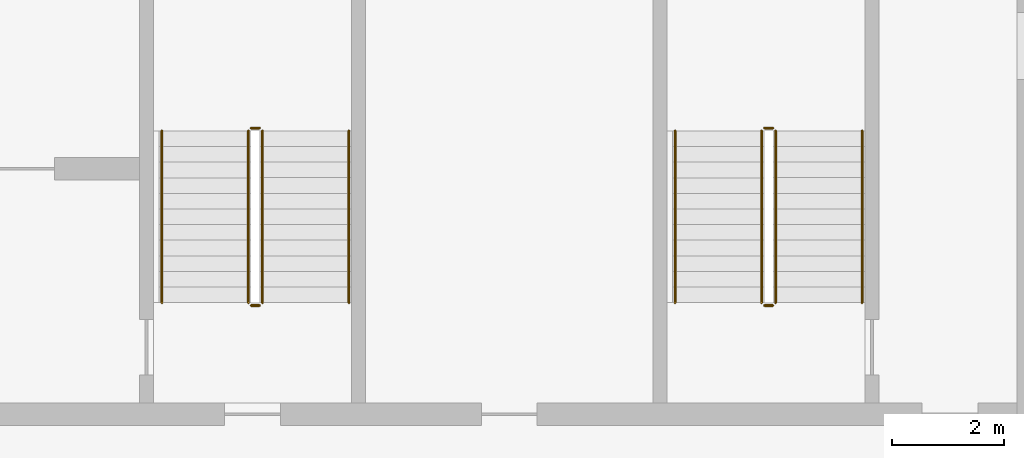
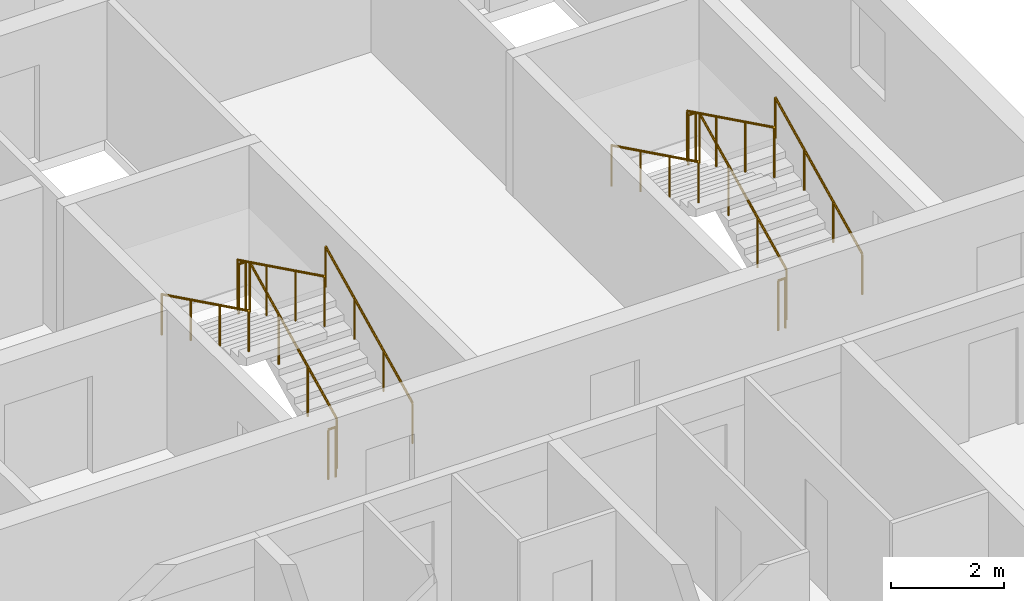
# One storey, part 15 of 27: 12 railings.
"""IFC4 building model written with IfcOpenShell, lengths in metres."""

from ifc_helpers import new_model, si_unit, direction, frame, origin, origin_2d, place, context, subcontext, project, spatial, circle, extrude, material, type_object, element, save


model = new_model("IFC4")

# Units and contexts
model_context = context("Model", 3, precision=1e-05, world=origin(), true_north=direction((0.0, 1.0)))
body_context = subcontext(model_context, "Body", "Model", "MODEL_VIEW")
ifc_project = project(units=[si_unit("LENGTHUNIT", "METRE"), si_unit("AREAUNIT", "SQUARE_METRE"), si_unit("VOLUMEUNIT", "CUBIC_METRE"), si_unit("PLANEANGLEUNIT", "RADIAN"), si_unit("MASSUNIT", "GRAM", prefix="KILO")], contexts=[model_context])

# Site, building, storey
site_placement = place(None, origin())
site = spatial("IfcSite", under=ifc_project, at=site_placement, CompositionType="ELEMENT")
building_placement = place(site_placement, origin())
building = spatial("IfcBuilding", under=site, at=building_placement, Name="Poui Terraces", CompositionType="ELEMENT")
storey_placement = place(building_placement, frame((0.0, 0.0, 208.199951171875)))
storey = spatial("IfcBuildingStorey", under=building, at=storey_placement, Name="L58", CompositionType="ELEMENT", Elevation=208.199951171875)

# Railings
ifc_material_1 = material(Name="Galvanised steel balustrade", Category="steel")
railing_type_1 = type_object("IfcRailingType", Name="STAIR GUARD 1100", PredefinedType="GUARDRAIL", material=ifc_material_1)
railing_1_placement = place(storey_placement, frame((70.27490234375, 16.60009765625, 0.137451171875)))
element("IfcRailing", 1, at=railing_1_placement, inside=storey, type_object=railing_type_1, Name="L58 ST-CE stair guard 1", PredefinedType="GUARDRAIL", context=body_context, shape_type="SweptSolid", body=[
    extrude(circle(Radius=0.02392578125, at=origin_2d()), frame((0.0, 0.0, 1.076171875), z_axis=(0.0, 0.897578036475, 0.440855609512), x_axis=(-1.0, 0.0, 0.0)), (0.0, 0.0, 1.0), 3.43115234375),
    extrude(circle(Radius=0.02099609375, at=origin_2d()), origin(), (0.0, 0.0, 1.0), 1.052001953125),
    extrude(circle(Radius=0.02099609375, at=origin_2d()), frame((0.0, 1.026611328125, 0.504150390625)), (0.0, 0.0, 1.0), 1.052001953125),
    extrude(circle(Radius=0.02099609375, at=origin_2d()), frame((0.0, 2.05322265625, 1.008544921875)), (0.0, 0.0, 1.0), 1.052001953125),
    extrude(circle(Radius=0.02099609375, at=origin_2d()), frame((0.0, 3.079833984375, 1.5126953125)), (0.0, 0.0, 1.0), 1.052001953125),
])
railing_2_placement = place(storey_placement, frame((70.22509765625, 19.72998046875, 1.650146484375)))
element("IfcRailing", 2, at=railing_2_placement, inside=storey, type_object=railing_type_1, Name="L58 ST-CE stair guard 2", PredefinedType="GUARDRAIL", context=body_context, shape_type="SweptSolid", body=[
    extrude(circle(Radius=0.02392578125, at=origin_2d()), frame((0.0, 0.0, 1.076171875), z_axis=(-1.0, 0.0, 0.0), x_axis=(0.0, -1.0, 0.0)), (0.0, 0.0, 1.0), 0.150146484375),
    extrude(circle(Radius=0.02099609375, at=origin_2d()), origin(), (0.0, 0.0, 1.0), 1.052001953125),
    extrude(circle(Radius=0.02099609375, at=origin_2d()), frame((-0.150146484375, 0.0, 0.0)), (0.0, 0.0, 1.0), 1.052001953125),
])
railing_3_placement = place(storey_placement, frame((70.02490234375, 19.679931640625, 1.78759765625)))
element("IfcRailing", 3, at=railing_3_placement, inside=storey, type_object=railing_type_1, Name="L58 ST-CE stair guard 3", PredefinedType="GUARDRAIL", context=body_context, shape_type="SweptSolid", body=[
    extrude(circle(Radius=0.02392578125, at=origin_2d()), frame((0.0, 0.0, 1.076171875), z_axis=(0.0, -0.897606190399, 0.440798283751), x_axis=(1.0, 0.0, 0.0)), (0.0, 0.0, 1.0), 3.43115234375),
    extrude(circle(Radius=0.02099609375, at=origin_2d()), origin(), (0.0, 0.0, 1.0), 1.052001953125),
    extrude(circle(Radius=0.02099609375, at=origin_2d()), frame((0.0, -1.026611328125, 0.504150390625)), (0.0, 0.0, 1.0), 1.052001953125),
    extrude(circle(Radius=0.02099609375, at=origin_2d()), frame((0.0, -2.05322265625, 1.00830078125)), (0.0, 0.0, 1.0), 1.052001953125),
    extrude(circle(Radius=0.02099609375, at=origin_2d()), frame((0.0, -3.079833984375, 1.512451171875)), (0.0, 0.0, 1.0), 1.052001953125),
])
railing_4_placement = place(storey_placement, frame((70.22509765625, 16.550048828125, 0.0)))
element("IfcRailing", 4, at=railing_4_placement, inside=storey, type_object=railing_type_1, Name="L58 ST-CE stair guard 4", PredefinedType="GUARDRAIL", context=body_context, shape_type="SweptSolid", body=[
    extrude(circle(Radius=0.02392578125, at=origin_2d()), frame((0.0, 0.0, 1.076171875), z_axis=(-1.0, 0.0, 0.0), x_axis=(0.0, -1.0, 0.0)), (0.0, 0.0, 1.0), 0.150146484375),
    extrude(circle(Radius=0.02099609375, at=origin_2d()), origin(), (0.0, 0.0, 1.0), 1.052001953125),
    extrude(circle(Radius=0.02099609375, at=origin_2d()), frame((-0.150146484375, 0.0, 0.0)), (0.0, 0.0, 1.0), 1.052001953125),
])
railing_5_placement = place(storey_placement, frame((79.47509765625, 16.60009765625, 0.137451171875)))
element("IfcRailing", 5, at=railing_5_placement, inside=storey, type_object=railing_type_1, Name="L58 ST-E stair guard 1", PredefinedType="GUARDRAIL", context=body_context, shape_type="SweptSolid", body=[
    extrude(circle(Radius=0.02392578125, at=origin_2d()), frame((0.0, 0.0, 1.076171875), z_axis=(0.0, 0.897578036475, 0.440855609512), x_axis=(-1.0, 0.0, 0.0)), (0.0, 0.0, 1.0), 3.43115234375),
    extrude(circle(Radius=0.02099609375, at=origin_2d()), origin(), (0.0, 0.0, 1.0), 1.052001953125),
    extrude(circle(Radius=0.02099609375, at=origin_2d()), frame((0.0, 1.026611328125, 0.504150390625)), (0.0, 0.0, 1.0), 1.052001953125),
    extrude(circle(Radius=0.02099609375, at=origin_2d()), frame((0.0, 2.05322265625, 1.008544921875)), (0.0, 0.0, 1.0), 1.052001953125),
    extrude(circle(Radius=0.02099609375, at=origin_2d()), frame((0.0, 3.079833984375, 1.5126953125)), (0.0, 0.0, 1.0), 1.052001953125),
])
railing_6_placement = place(storey_placement, frame((79.425048828125, 19.72998046875, 1.650146484375)))
element("IfcRailing", 6, at=railing_6_placement, inside=storey, type_object=railing_type_1, Name="L58 ST-E stair guard 2", PredefinedType="GUARDRAIL", context=body_context, shape_type="SweptSolid", body=[
    extrude(circle(Radius=0.02392578125, at=origin_2d()), frame((0.0, 0.0, 1.076171875), z_axis=(-1.0, 0.0, 0.0), x_axis=(0.0, -1.0, 0.0)), (0.0, 0.0, 1.0), 0.150146484375),
    extrude(circle(Radius=0.02099609375, at=origin_2d()), origin(), (0.0, 0.0, 1.0), 1.052001953125),
    extrude(circle(Radius=0.02099609375, at=origin_2d()), frame((-0.150146484375, 0.0, 0.0)), (0.0, 0.0, 1.0), 1.052001953125),
])
railing_7_placement = place(storey_placement, frame((79.22509765625, 19.679931640625, 1.78759765625)))
element("IfcRailing", 7, at=railing_7_placement, inside=storey, type_object=railing_type_1, Name="L58 ST-E stair guard 3", PredefinedType="GUARDRAIL", context=body_context, shape_type="SweptSolid", body=[
    extrude(circle(Radius=0.02392578125, at=origin_2d()), frame((0.0, 0.0, 1.076171875), z_axis=(0.0, -0.897606190399, 0.440798283751), x_axis=(1.0, 0.0, 0.0)), (0.0, 0.0, 1.0), 3.43115234375),
    extrude(circle(Radius=0.02099609375, at=origin_2d()), origin(), (0.0, 0.0, 1.0), 1.052001953125),
    extrude(circle(Radius=0.02099609375, at=origin_2d()), frame((0.0, -1.026611328125, 0.504150390625)), (0.0, 0.0, 1.0), 1.052001953125),
    extrude(circle(Radius=0.02099609375, at=origin_2d()), frame((0.0, -2.05322265625, 1.00830078125)), (0.0, 0.0, 1.0), 1.052001953125),
    extrude(circle(Radius=0.02099609375, at=origin_2d()), frame((0.0, -3.079833984375, 1.512451171875)), (0.0, 0.0, 1.0), 1.052001953125),
])
railing_8_placement = place(storey_placement, frame((79.425048828125, 16.550048828125, 0.0)))
element("IfcRailing", 8, at=railing_8_placement, inside=storey, type_object=railing_type_1, Name="L58 ST-E stair guard 4", PredefinedType="GUARDRAIL", context=body_context, shape_type="SweptSolid", body=[
    extrude(circle(Radius=0.02392578125, at=origin_2d()), frame((0.0, 0.0, 1.076171875), z_axis=(-1.0, 0.0, 0.0), x_axis=(0.0, -1.0, 0.0)), (0.0, 0.0, 1.0), 0.150146484375),
    extrude(circle(Radius=0.02099609375, at=origin_2d()), origin(), (0.0, 0.0, 1.0), 1.052001953125),
    extrude(circle(Radius=0.02099609375, at=origin_2d()), frame((-0.150146484375, 0.0, 0.0)), (0.0, 0.0, 1.0), 1.052001953125),
])
ifc_material_2 = material(Name="Stainless steel handrail", Category="steel")
railing_type_2 = type_object("IfcRailingType", Name="STAIR HANDRAIL 900", PredefinedType="HANDRAIL", material=ifc_material_2)
railing_9_placement = place(storey_placement, frame((71.824951171875, 16.60009765625, 0.137451171875)))
element("IfcRailing", 9, at=railing_9_placement, inside=storey, type_object=railing_type_2, Name="L58 ST-CE stair handrail 1", PredefinedType="HANDRAIL", context=body_context, shape_type="SweptSolid", body=[
    extrude(circle(Radius=0.02392578125, at=origin_2d()), frame((0.0, 0.0, 0.8759765625), z_axis=(0.0, 0.897578036475, 0.440855609512), x_axis=(-1.0, 0.0, 0.0)), (0.0, 0.0, 1.0), 3.43115234375),
    extrude(circle(Radius=0.02099609375, at=origin_2d()), origin(), (0.0, 0.0, 1.0), 0.851806640625),
    extrude(circle(Radius=0.02099609375, at=origin_2d()), frame((0.0, 1.026611328125, 0.504150390625)), (0.0, 0.0, 1.0), 0.851806640625),
    extrude(circle(Radius=0.02099609375, at=origin_2d()), frame((0.0, 2.05322265625, 1.008544921875)), (0.0, 0.0, 1.0), 0.851806640625),
    extrude(circle(Radius=0.02099609375, at=origin_2d()), frame((0.0, 3.079833984375, 1.5126953125)), (0.0, 0.0, 1.0), 0.851806640625),
])
railing_10_placement = place(storey_placement, frame((68.47509765625, 19.679931640625, 1.78759765625)))
element("IfcRailing", 10, at=railing_10_placement, inside=storey, type_object=railing_type_2, Name="L58 ST-CE stair handrail 2", PredefinedType="HANDRAIL", context=body_context, shape_type="SweptSolid", body=[
    extrude(circle(Radius=0.02392578125, at=origin_2d()), frame((0.0, 0.0, 0.8759765625), z_axis=(0.0, -0.897606190399, 0.440798283751), x_axis=(1.0, 0.0, 0.0)), (0.0, 0.0, 1.0), 3.43115234375),
    extrude(circle(Radius=0.02099609375, at=origin_2d()), origin(), (0.0, 0.0, 1.0), 0.851806640625),
    extrude(circle(Radius=0.02099609375, at=origin_2d()), frame((0.0, -1.026611328125, 0.504150390625)), (0.0, 0.0, 1.0), 0.851806640625),
    extrude(circle(Radius=0.02099609375, at=origin_2d()), frame((0.0, -2.05322265625, 1.00830078125)), (0.0, 0.0, 1.0), 0.851806640625),
    extrude(circle(Radius=0.02099609375, at=origin_2d()), frame((0.0, -3.079833984375, 1.512451171875)), (0.0, 0.0, 1.0), 0.851806640625),
])
railing_11_placement = place(storey_placement, frame((81.02490234375, 16.60009765625, 0.137451171875)))
element("IfcRailing", 11, at=railing_11_placement, inside=storey, type_object=railing_type_2, Name="L58 ST-E stair handrail 1", PredefinedType="HANDRAIL", context=body_context, shape_type="SweptSolid", body=[
    extrude(circle(Radius=0.02392578125, at=origin_2d()), frame((0.0, 0.0, 0.8759765625), z_axis=(0.0, 0.897578036475, 0.440855609512), x_axis=(-1.0, 0.0, 0.0)), (0.0, 0.0, 1.0), 3.43115234375),
    extrude(circle(Radius=0.02099609375, at=origin_2d()), origin(), (0.0, 0.0, 1.0), 0.851806640625),
    extrude(circle(Radius=0.02099609375, at=origin_2d()), frame((0.0, 1.026611328125, 0.504150390625)), (0.0, 0.0, 1.0), 0.851806640625),
    extrude(circle(Radius=0.02099609375, at=origin_2d()), frame((0.0, 2.05322265625, 1.008544921875)), (0.0, 0.0, 1.0), 0.851806640625),
    extrude(circle(Radius=0.02099609375, at=origin_2d()), frame((0.0, 3.079833984375, 1.5126953125)), (0.0, 0.0, 1.0), 0.851806640625),
])
railing_12_placement = place(storey_placement, frame((77.675048828125, 19.679931640625, 1.78759765625)))
element("IfcRailing", 12, at=railing_12_placement, inside=storey, type_object=railing_type_2, Name="L58 ST-E stair handrail 2", PredefinedType="HANDRAIL", context=body_context, shape_type="SweptSolid", body=[
    extrude(circle(Radius=0.02392578125, at=origin_2d()), frame((0.0, 0.0, 0.8759765625), z_axis=(0.0, -0.897606190399, 0.440798283751), x_axis=(1.0, 0.0, 0.0)), (0.0, 0.0, 1.0), 3.43115234375),
    extrude(circle(Radius=0.02099609375, at=origin_2d()), origin(), (0.0, 0.0, 1.0), 0.851806640625),
    extrude(circle(Radius=0.02099609375, at=origin_2d()), frame((0.0, -1.026611328125, 0.504150390625)), (0.0, 0.0, 1.0), 0.851806640625),
    extrude(circle(Radius=0.02099609375, at=origin_2d()), frame((0.0, -2.05322265625, 1.00830078125)), (0.0, 0.0, 1.0), 0.851806640625),
    extrude(circle(Radius=0.02099609375, at=origin_2d()), frame((0.0, -3.079833984375, 1.512451171875)), (0.0, 0.0, 1.0), 0.851806640625),
])

save(model, "model.ifc")
